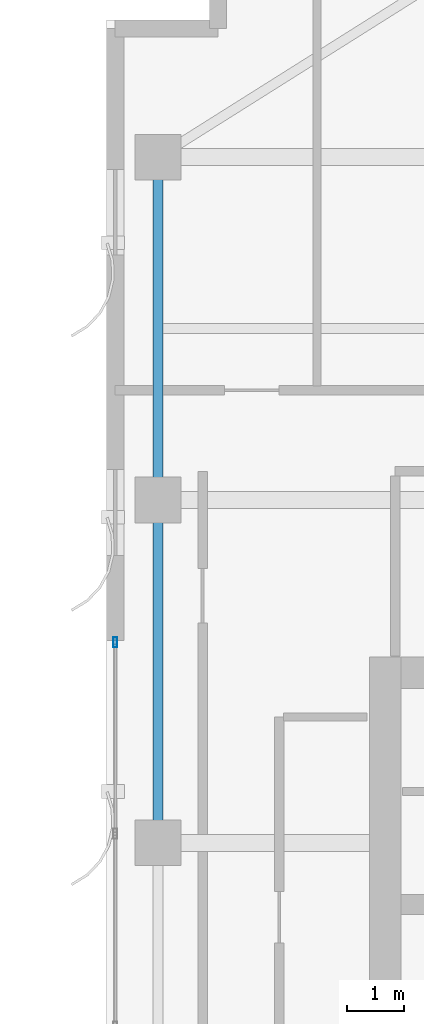
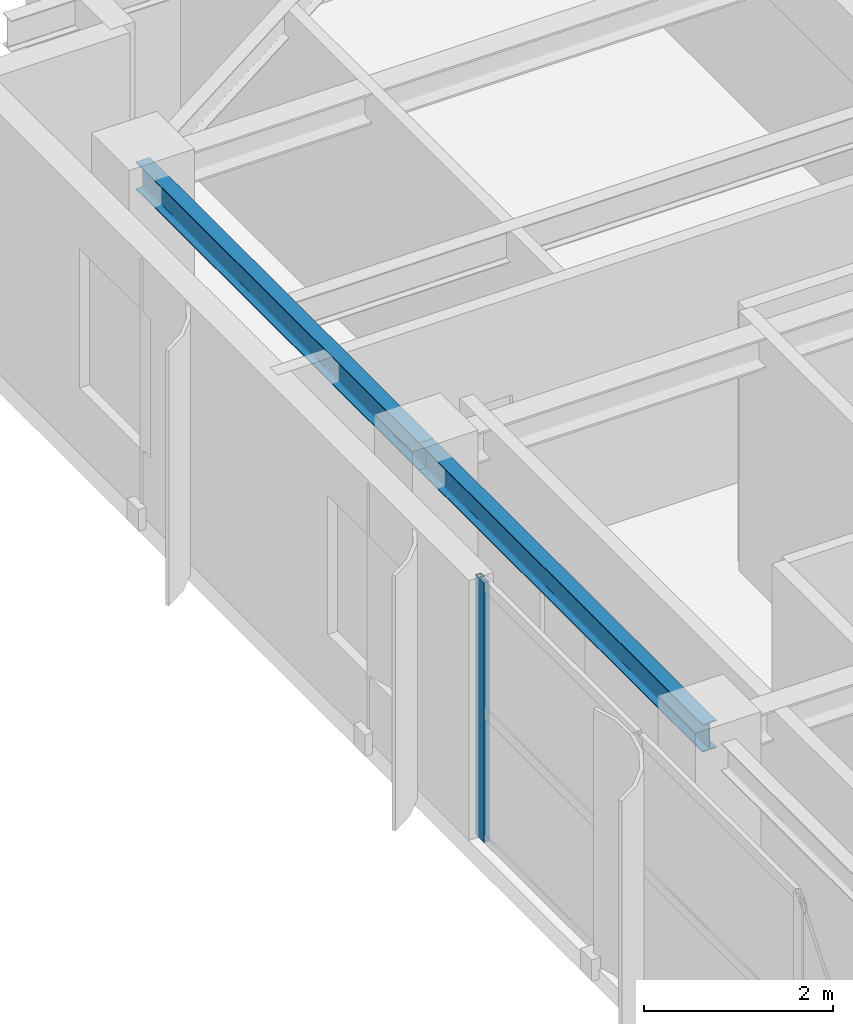
# One storey, part 8 of 24: 2 beams, 1 member, 1 element without a shape of its own.
"""IFC4 building model written with IfcOpenShell, lengths in metres."""

from ifc_helpers import new_model, si_unit, direction, frame, origin, origin_2d, place, context, subcontext, project, spatial, hollow_rectangle, i_section, extrude, source, transform, mapped, material, layer, layer_set, material_profile, profile_set, type_object, element, aggregate, save


model = new_model("IFC4")

# Units and contexts
model_context = context("Model", 3, precision=1e-05, world=origin(), true_north=direction((0.0, 1.0)))
body_context = subcontext(model_context, "Body", "Model", "MODEL_VIEW")
ifc_project = project(units=[si_unit("LENGTHUNIT", "METRE"), si_unit("AREAUNIT", "SQUARE_METRE"), si_unit("VOLUMEUNIT", "CUBIC_METRE"), si_unit("PLANEANGLEUNIT", "RADIAN"), si_unit("MASSUNIT", "GRAM", prefix="KILO")], contexts=[model_context])

# Site, building, storey
site_placement = place(None, origin())
site = spatial("IfcSite", under=ifc_project, at=site_placement, CompositionType="ELEMENT")
building_placement = place(site_placement, origin())
building = spatial("IfcBuilding", under=site, at=building_placement, Name="Khoralis Quay Care Tower", CompositionType="ELEMENT")
storey_placement = place(building_placement, frame((0.0, 0.0, 249.300048828125)))
storey = spatial("IfcBuildingStorey", under=building, at=storey_placement, Name="L65", CompositionType="ELEMENT", Elevation=249.300048828125)

# Beams
ifc_material_1 = material(Name="Steel S355", Category="steel")
ifc_material_profile_1 = material_profile(ifc_material_1, i_section(OverallWidth=0.169921875, OverallDepth=0.360107421875, WebThickness=0.008056640625, FlangeThickness=0.0126953125, FilletRadius=0.01806640625, at=origin_2d()), Name="Steel S355")
ifc_profile_set_1 = profile_set([ifc_material_profile_1], Name="Steel S355")
beam_type = type_object("IfcBeamType", Name="BM-IPE360", PredefinedType="SPANDREL", material=ifc_profile_set_1)
shared_shape_1 = source(origin(), body_context, "Body", "SweptSolid", [
    extrude(i_section(OverallWidth=0.169921875, OverallDepth=0.360107421875, WebThickness=0.008056640625, FlangeThickness=0.0126953125, FilletRadius=0.01806640625, at=origin_2d()), origin(), (0.0, 0.0, 1.0), 6.0),
])
for number, where, z_axis, x_axis, name in (
    (1, (3.89990234375, 24.0, 3.179931640625), (0.0, 1.0, 0.0), (-1.0, 0.0, 0.0), "BM-TSP-L65-07"),
    (2, (3.89990234375, 30.0, 3.179931640625), (0.0, 1.0, 0.0), (-1.0, 0.0, 0.0), "BM-TSP-L65-08"),
):
    element("IfcBeam", number, at=place(storey_placement, frame(where, z_axis=z_axis, x_axis=x_axis)), inside=storey, type_object=beam_type, Name=name, PredefinedType="SPANDREL", context=body_context, shape_type="MappedRepresentation", body=[
        mapped(shared_shape_1, transform((0.0, 0.0, 0.0), scale=1.0)),
    ])

# Curtain wall, member
ifc_material_2 = material(Name="Pale anodised aluminium", Category="aluminium")
ifc_layer = layer(ifc_material_2, 0.159912109375)
ifc_layer_set = layer_set([ifc_layer], Name="Pale anodised aluminium")
curtain_wall_type = type_object("IfcCurtainWallType", Name="CW-SYS-Z3", PredefinedType="NOTDEFINED", material=ifc_layer_set)
curtain_wall_placement = place(storey_placement, origin())
curtain_wall = element("IfcCurtainWall", 3, at=curtain_wall_placement, inside=storey, type_object=curtain_wall_type, Name="L65 Unitised Curtain Wall CW-L65-P1-E7", PredefinedType="NOTDEFINED")
ifc_material_profile_2 = material_profile(ifc_material_2, hollow_rectangle(XDim=0.06494140625, YDim=0.179931640625, WallThickness=0.00390625, at=origin_2d()), Name="Pale anodised aluminium")
ifc_profile_set_2 = profile_set([ifc_material_profile_2], Name="Pale anodised aluminium")
member_type = type_object("IfcMemberType", Name="CW-MUL-180", PredefinedType="MULLION", material=ifc_profile_set_2)
shared_shape_2 = source(origin(), body_context, "Body", "SweptSolid", [
    extrude(hollow_rectangle(XDim=0.06494140625, YDim=0.179931640625, WallThickness=0.00390625, at=origin_2d()), origin(), (0.0, 0.0, 1.0), 3.35986328125),
])
member_placement = place(storey_placement, frame((3.14990234375, 27.510009765625, 0.0), z_axis=(0.0, 0.0, 1.0), x_axis=(1.0, 0.0, 0.0)))
member = element("IfcMember", 4, at=member_placement, type_object=member_type, Name="CW3 mullion 1", PredefinedType="MULLION", context=body_context, shape_type="MappedRepresentation", body=[
    mapped(shared_shape_2, transform((0.0, 0.0, 0.0), scale=1.0)),
])
aggregate(curtain_wall, [member])

save(model, "model.ifc")
